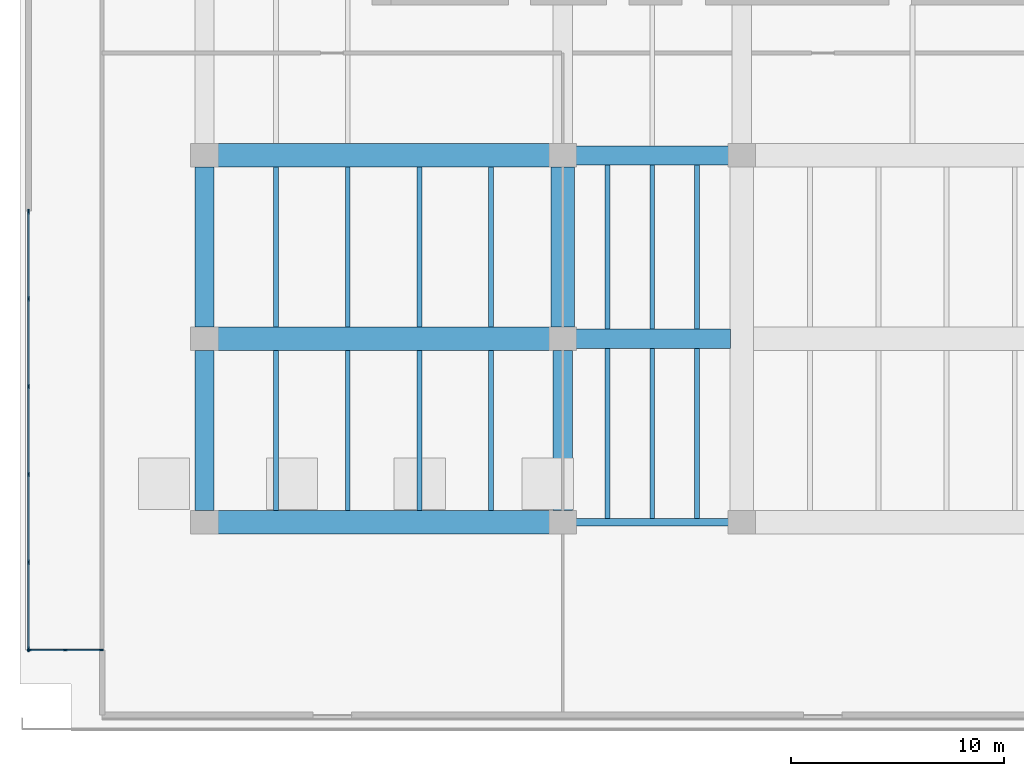
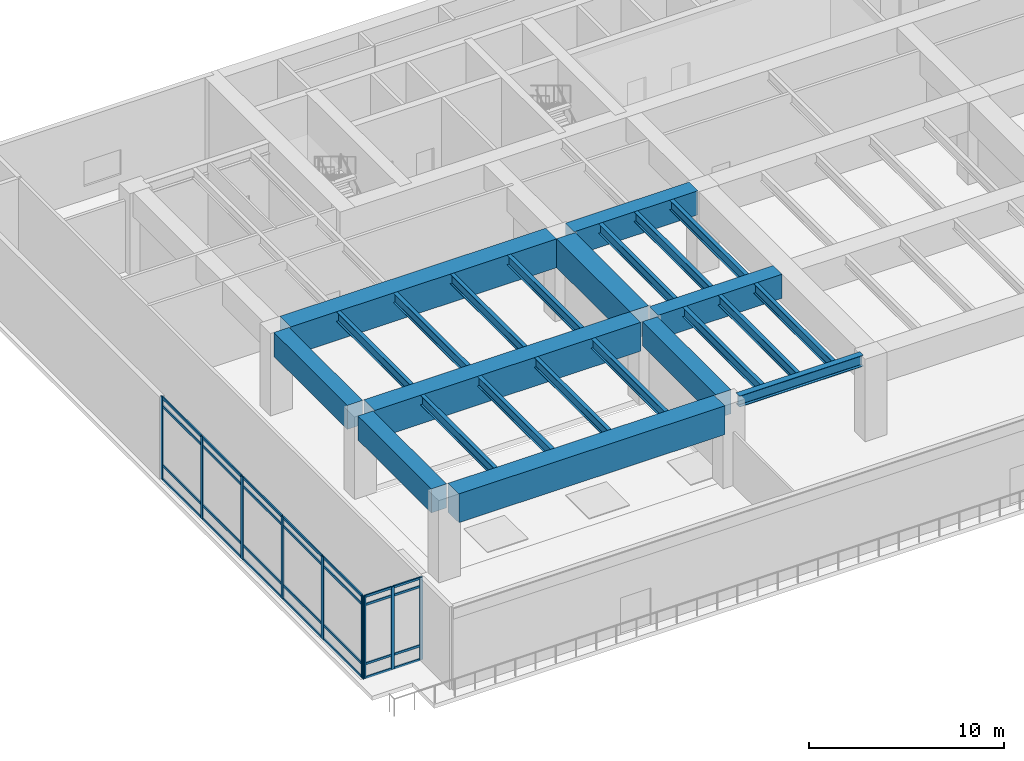
# One storey, part 2 of 12: 37 members, 24 beams, 2 elements without a shape of their own.
"""IFC4 building model written with IfcOpenShell, lengths in metres."""

from ifc_helpers import new_model, si_unit, direction, frame, origin, origin_2d, place, context, subcontext, project, spatial, rectangle, i_section, extrude, material, layer, layer_set, material_profile, profile_set, type_object, element, aggregate, save


model = new_model("IFC4")

# Units and contexts
model_context = context("Model", 3, precision=1e-05, world=origin(), true_north=direction((0.0, 1.0)))
body_context = subcontext(model_context, "Body", "Model", "MODEL_VIEW")
ifc_project = project(units=[si_unit("LENGTHUNIT", "METRE"), si_unit("AREAUNIT", "SQUARE_METRE"), si_unit("VOLUMEUNIT", "CUBIC_METRE"), si_unit("PLANEANGLEUNIT", "RADIAN"), si_unit("MASSUNIT", "GRAM", prefix="KILO")], contexts=[model_context])

# Site, building, storey
site_placement = place(None, origin())
site = spatial("IfcSite", under=ifc_project, at=site_placement, CompositionType="ELEMENT")
building_placement = place(site_placement, origin())
building = spatial("IfcBuilding", under=site, at=building_placement, Name="Caelmar Bay Residences", CompositionType="ELEMENT")
storey_placement = place(building_placement, frame((0.0, 0.0, 24.60009765625)))
storey = spatial("IfcBuildingStorey", under=building, at=storey_placement, Name="L05", CompositionType="ELEMENT", Elevation=24.60009765625)

# Beams
ifc_material_1 = material(Name="Steel ASTM A992 Grade 50", Category="steel")
ifc_material_profile_1 = material_profile(ifc_material_1, i_section(OverallWidth=0.22900390625, OverallDepth=0.612060546875, WebThickness=0.011962890625, FlangeThickness=0.01953125, FilletRadius=0.0126953125, at=origin_2d()), Name="W24X84")
ifc_profile_set_1 = profile_set([ifc_material_profile_1], Name="Steel ASTM A992 Grade 50")
beam_type_1 = type_object("IfcBeamType", Name="BM-JST-W24X84", PredefinedType="JOIST", material=ifc_profile_set_1)
for number, where, z_axis, x_axis, name in (
    (1, (13.260009765625, 12.75, 4.843994140625), (0.0, 1.0, 0.0), (-1.0, 0.0, 0.0), "L05 Composite Floor Joist 1"),
    (2, (16.6201171875, 12.75, 4.843994140625), (0.0, 1.0, 0.0), (-1.0, 0.0, 0.0), "L05 Composite Floor Joist 2"),
    (3, (19.97998046875, 12.75, 4.843994140625), (0.0, 1.0, 0.0), (-1.0, 0.0, 0.0), "L05 Composite Floor Joist 3"),
    (4, (23.340087890625, 12.75, 4.843994140625), (0.0, 1.0, 0.0), (-1.0, 0.0, 0.0), "L05 Composite Floor Joist 4"),
):
    element("IfcBeam", number, at=place(storey_placement, frame(where, z_axis=z_axis, x_axis=x_axis)), inside=storey, type_object=beam_type_1, Name=name, PredefinedType="JOIST", context=body_context, shape_type="SweptSolid", body=[
        extrude(i_section(OverallWidth=0.22900390625, OverallDepth=0.612060546875, WebThickness=0.011962890625, FlangeThickness=0.01953125, FilletRadius=0.0126953125, at=origin_2d()), origin(), (0.0, 0.0, 1.0), 7.5),
    ])
for number, where, z_axis, x_axis, name in (
    (5, (28.800048828125, 12.3779296875, 4.843994140625), (0.0, 1.0, 0.0), (-1.0, 0.0, 0.0), "L05 Composite Floor Joist 5"),
    (6, (30.89990234375, 12.3779296875, 4.843994140625), (0.0, 1.0, 0.0), (-1.0, 0.0, 0.0), "L05 Composite Floor Joist 6"),
    (7, (33.0, 12.3779296875, 4.843994140625), (0.0, 1.0, 0.0), (-1.0, 0.0, 0.0), "L05 Composite Floor Joist 7"),
):
    element("IfcBeam", number, at=place(storey_placement, frame(where, z_axis=z_axis, x_axis=x_axis)), inside=storey, type_object=beam_type_1, Name=name, PredefinedType="JOIST", context=body_context, shape_type="SweptSolid", body=[
        extrude(i_section(OverallWidth=0.22900390625, OverallDepth=0.612060546875, WebThickness=0.011962890625, FlangeThickness=0.01953125, FilletRadius=0.0126953125, at=origin_2d()), origin(), (0.0, 0.0, 1.0), 7.97216796875),
    ])
for number, where, z_axis, x_axis, name in (
    (8, (13.260009765625, 21.35009765625, 4.843994140625), (0.0, 1.0, 0.0), (-1.0, 0.0, 0.0), "L05 Composite Floor Joist 16"),
    (9, (16.6201171875, 21.35009765625, 4.843994140625), (0.0, 1.0, 0.0), (-1.0, 0.0, 0.0), "L05 Composite Floor Joist 17"),
    (10, (19.97998046875, 21.35009765625, 4.843994140625), (0.0, 1.0, 0.0), (-1.0, 0.0, 0.0), "L05 Composite Floor Joist 18"),
    (11, (23.340087890625, 21.35009765625, 4.843994140625), (0.0, 1.0, 0.0), (-1.0, 0.0, 0.0), "L05 Composite Floor Joist 19"),
):
    element("IfcBeam", number, at=place(storey_placement, frame(where, z_axis=z_axis, x_axis=x_axis)), inside=storey, type_object=beam_type_1, Name=name, PredefinedType="JOIST", context=body_context, shape_type="SweptSolid", body=[
        extrude(i_section(OverallWidth=0.22900390625, OverallDepth=0.612060546875, WebThickness=0.011962890625, FlangeThickness=0.01953125, FilletRadius=0.0126953125, at=origin_2d()), origin(), (0.0, 0.0, 1.0), 7.5),
    ])
for number, where, z_axis, x_axis, name in (
    (12, (28.800048828125, 21.25, 4.843994140625), (0.0, 1.0, 0.0), (-1.0, 0.0, 0.0), "L05 Composite Floor Joist 20"),
    (13, (30.89990234375, 21.25, 4.843994140625), (0.0, 1.0, 0.0), (-1.0, 0.0, 0.0), "L05 Composite Floor Joist 21"),
    (14, (33.0, 21.25, 4.843994140625), (0.0, 1.0, 0.0), (-1.0, 0.0, 0.0), "L05 Composite Floor Joist 22"),
):
    element("IfcBeam", number, at=place(storey_placement, frame(where, z_axis=z_axis, x_axis=x_axis)), inside=storey, type_object=beam_type_1, Name=name, PredefinedType="JOIST", context=body_context, shape_type="SweptSolid", body=[
        extrude(i_section(OverallWidth=0.22900390625, OverallDepth=0.612060546875, WebThickness=0.011962890625, FlangeThickness=0.01953125, FilletRadius=0.0126953125, at=origin_2d()), origin(), (0.0, 0.0, 1.0), 7.699951171875),
    ])
ifc_material_profile_2 = material_profile(ifc_material_1, i_section(OverallWidth=0.35595703125, OverallDepth=0.696044921875, WebThickness=0.015380859375, FlangeThickness=0.02490234375, FilletRadius=0.01513671875, at=origin_2d()), Name="W27X146")
ifc_profile_set_2 = profile_set([ifc_material_profile_2], Name="Steel ASTM A992 Grade 50")
beam_type_2 = type_object("IfcBeamType", Name="BM-SPN-W27X146", PredefinedType="SPANDREL", material=ifc_profile_set_2)
beam_1_placement = place(storey_placement, frame((27.239990234375, 12.199951171875, 4.802001953125), z_axis=(1.0, 0.0, 0.0), x_axis=(0.0, 1.0, 0.0)))
element("IfcBeam", 15, at=beam_1_placement, inside=storey, type_object=beam_type_2, Name="L05 East-West Girder Y=12.20 (26.7-35.1)", PredefinedType="SPANDREL", context=body_context, shape_type="SweptSolid", body=[
    extrude(i_section(OverallWidth=0.35595703125, OverallDepth=0.696044921875, WebThickness=0.015380859375, FlangeThickness=0.02490234375, FilletRadius=0.01513671875, at=origin_2d()), origin(), (0.0, 0.0, 1.0), 7.320068359375),
])
ifc_material_2 = material(Name="Concrete f'c 70 MPa (10,000 psi)", Category="concrete")
ifc_material_profile_3 = material_profile(ifc_material_2, rectangle(XDim=1.10009765625, YDim=1.800048828125, at=origin_2d()), Name="RC-BM-1100X1800")
ifc_profile_set_3 = profile_set([ifc_material_profile_3], Name="Concrete f'c 70 MPa (10,000 psi)")
beam_type_3 = type_object("IfcBeamType", Name="BM-XFR-1100X1800", PredefinedType="BEAM", material=ifc_profile_set_3)
for number, where, z_axis, x_axis, name in (
    (16, (10.43994140625, 12.199951171875, 4.25), (1.0, 0.0, 0.0), (0.0, 1.0, 0.0), "L05 East-West Girder Y=12.20 (9.9-26.7)"),
    (17, (10.43994140625, 20.800048828125, 4.25), (1.0, 0.0, 0.0), (0.0, 1.0, 0.0), "L05 East-West Girder Y=20.80 (9.9-26.7)"),
    (18, (10.43994140625, 29.39990234375, 4.25), (1.0, 0.0, 0.0), (0.0, 1.0, 0.0), "L05 East-West Girder Y=29.40 (9.9-26.7)"),
):
    element("IfcBeam", number, at=place(storey_placement, frame(where, z_axis=z_axis, x_axis=x_axis)), inside=storey, type_object=beam_type_3, Name=name, PredefinedType="BEAM", context=body_context, shape_type="SweptSolid", body=[
        extrude(rectangle(XDim=1.10009765625, YDim=1.800048828125, at=origin_2d()), origin(), (0.0, 0.0, 1.0), 15.719970703125),
    ])
beam_2_placement = place(storey_placement, frame((26.699951171875, 21.340087890625, 4.25), z_axis=(0.0, 1.0, 0.0), x_axis=(-1.0, 0.0, 0.0)))
element("IfcBeam", 19, at=beam_2_placement, inside=storey, type_object=beam_type_3, Name="L05 North-South Girder X=26.70 (20.8-29.4)", PredefinedType="BEAM", context=body_context, shape_type="SweptSolid", body=[
    extrude(rectangle(XDim=1.10009765625, YDim=1.800048828125, at=origin_2d()), origin(), (0.0, 0.0, 1.0), 7.52001953125),
])
ifc_material_profile_4 = material_profile(ifc_material_2, rectangle(XDim=0.89990234375, YDim=1.5, at=origin_2d()), Name="RC-BM-900X1500")
ifc_profile_set_4 = profile_set([ifc_material_profile_4], Name="Concrete f'c 70 MPa (10,000 psi)")
beam_type_4 = type_object("IfcBeamType", Name="BM-XFR-900X1500", PredefinedType="BEAM", material=ifc_profile_set_4)
for number, where, z_axis, x_axis, name in (
    (20, (27.239990234375, 20.800048828125, 4.39990234375), (1.0, 0.0, 0.0), (0.0, 1.0, 0.0), "L05 East-West Girder Y=20.80 (26.7-35.1)"),
    (21, (27.239990234375, 29.39990234375, 4.39990234375), (1.0, 0.0, 0.0), (0.0, 1.0, 0.0), "L05 East-West Girder Y=29.40 (26.7-35.1)"),
):
    element("IfcBeam", number, at=place(storey_placement, frame(where, z_axis=z_axis, x_axis=x_axis)), inside=storey, type_object=beam_type_4, Name=name, PredefinedType="BEAM", context=body_context, shape_type="SweptSolid", body=[
        extrude(rectangle(XDim=0.89990234375, YDim=1.5, at=origin_2d()), origin(), (0.0, 0.0, 1.0), 7.320068359375),
    ])
for number, where, z_axis, x_axis, name in (
    (22, (9.89990234375, 12.739990234375, 4.39990234375), (0.0, 1.0, 0.0), (-1.0, 0.0, 0.0), "L05 North-South Girder X=9.90 (12.2-20.8)"),
    (23, (9.89990234375, 21.340087890625, 4.39990234375), (0.0, 1.0, 0.0), (-1.0, 0.0, 0.0), "L05 North-South Girder X=9.90 (20.8-29.4)"),
    (24, (26.699951171875, 12.739990234375, 4.39990234375), (0.0, 1.0, 0.0), (-1.0, 0.0, 0.0), "L05 North-South Girder X=26.70 (12.2-20.8)"),
):
    element("IfcBeam", number, at=place(storey_placement, frame(where, z_axis=z_axis, x_axis=x_axis)), inside=storey, type_object=beam_type_4, Name=name, PredefinedType="BEAM", context=body_context, shape_type="SweptSolid", body=[
        extrude(rectangle(XDim=0.89990234375, YDim=1.5, at=origin_2d()), origin(), (0.0, 0.0, 1.0), 7.52001953125),
    ])

# Curtain wall, members
ifc_material_3 = material(Name="Anodised bronze aluminium 6063-T6 and laminated glass", Category="aluminium")
ifc_layer_1 = layer(ifc_material_3, 0.179931640625)
ifc_layer_set_1 = layer_set([ifc_layer_1], Name="Anodised bronze aluminium 6063-T6 and laminated glass")
curtain_wall_type_1 = type_object("IfcCurtainWallType", Name="CW6-NTC", PredefinedType="NOTDEFINED", material=ifc_layer_set_1)
curtain_wall_1_placement = place(storey_placement, origin())
curtain_wall_1 = element("IfcCurtainWall", 25, at=curtain_wall_1_placement, inside=storey, type_object=curtain_wall_type_1, Name="CW6 curtain wall L05", PredefinedType="NOTDEFINED")
ifc_material_4 = material(Name="Anodised bronze aluminium 6063-T6", Category="aluminium")
ifc_material_profile_5 = material_profile(ifc_material_4, rectangle(XDim=0.080078125, YDim=0.179931640625, at=origin_2d()), Name="CWM-80X180")
ifc_profile_set_5 = profile_set([ifc_material_profile_5], Name="Anodised bronze aluminium 6063-T6")
member_type_1 = type_object("IfcMemberType", Name="CWM-180", PredefinedType="MULLION", material=ifc_profile_set_5)
member_1_placement = place(storey_placement, frame((1.68994140625, 6.199951171875, 0.0), z_axis=(0.0, 0.0, 1.0), x_axis=(0.0, 1.0, 0.0)))
member_1 = element("IfcMember", 26, at=member_1_placement, type_object=member_type_1, Name="CW6 mullion 1", PredefinedType="MULLION", context=body_context, shape_type="SweptSolid", body=[
    extrude(rectangle(XDim=0.080078125, YDim=0.179931640625, at=origin_2d()), origin(), (0.0, 0.0, 1.0), 5.14990234375),
])
member_2_placement = place(storey_placement, frame((3.375, 6.199951171875, 0.0), z_axis=(0.0, 0.0, 1.0), x_axis=(0.0, 1.0, 0.0)))
member_2 = element("IfcMember", 27, at=member_2_placement, type_object=member_type_1, Name="CW6 mullion 2", PredefinedType="MULLION", context=body_context, shape_type="SweptSolid", body=[
    extrude(rectangle(XDim=0.080078125, YDim=0.179931640625, at=origin_2d()), origin(), (0.0, 0.0, 1.0), 5.14990234375),
])
member_3_placement = place(storey_placement, frame((5.06005859375, 6.199951171875, 0.0), z_axis=(0.0, 0.0, 1.0), x_axis=(0.0, 1.0, 0.0)))
member_3 = element("IfcMember", 28, at=member_3_placement, type_object=member_type_1, Name="CW6 mullion 3", PredefinedType="MULLION", context=body_context, shape_type="SweptSolid", body=[
    extrude(rectangle(XDim=0.080078125, YDim=0.179931640625, at=origin_2d()), origin(), (0.0, 0.0, 1.0), 5.14990234375),
])

ifc_layer_2 = layer(ifc_material_3, 0.179931640625)
ifc_layer_set_2 = layer_set([ifc_layer_2], Name="Anodised bronze aluminium 6063-T6 and laminated glass")
curtain_wall_type_2 = type_object("IfcCurtainWallType", Name="CW1-POD", PredefinedType="NOTDEFINED", material=ifc_layer_set_2)
curtain_wall_2_placement = place(storey_placement, origin())
curtain_wall_2 = element("IfcCurtainWall", 29, at=curtain_wall_2_placement, inside=storey, type_object=curtain_wall_type_2, Name="CW1 curtain wall L05", PredefinedType="NOTDEFINED")
ifc_material_profile_6 = material_profile(ifc_material_4, rectangle(XDim=0.080078125, YDim=0.219970703125, at=origin_2d()), Name="CWM-80X220")
ifc_profile_set_6 = profile_set([ifc_material_profile_6], Name="Anodised bronze aluminium 6063-T6")
member_type_2 = type_object("IfcMemberType", Name="CWM-220", PredefinedType="MULLION", material=ifc_profile_set_6)
member_4_placement = place(storey_placement, frame((1.64990234375, 6.239990234375, 0.0), z_axis=(0.0, 0.0, 1.0), x_axis=(-1.0, 0.0, 0.0)))
member_4 = element("IfcMember", 30, at=member_4_placement, type_object=member_type_2, Name="CW1 mullion 1", PredefinedType="MULLION", context=body_context, shape_type="SweptSolid", body=[
    extrude(rectangle(XDim=0.080078125, YDim=0.219970703125, at=origin_2d()), origin(), (0.0, 0.0, 1.0), 5.14990234375),
])
member_5_placement = place(storey_placement, frame((1.64990234375, 10.320068359375, 0.0), z_axis=(0.0, 0.0, 1.0), x_axis=(-1.0, 0.0, 0.0)))
member_5 = element("IfcMember", 31, at=member_5_placement, type_object=member_type_2, Name="CW1 mullion 2", PredefinedType="MULLION", context=body_context, shape_type="SweptSolid", body=[
    extrude(rectangle(XDim=0.080078125, YDim=0.219970703125, at=origin_2d()), origin(), (0.0, 0.0, 1.0), 5.14990234375),
])
member_6_placement = place(storey_placement, frame((1.64990234375, 14.43994140625, 0.0), z_axis=(0.0, 0.0, 1.0), x_axis=(-1.0, 0.0, 0.0)))
member_6 = element("IfcMember", 32, at=member_6_placement, type_object=member_type_2, Name="CW1 mullion 3", PredefinedType="MULLION", context=body_context, shape_type="SweptSolid", body=[
    extrude(rectangle(XDim=0.080078125, YDim=0.219970703125, at=origin_2d()), origin(), (0.0, 0.0, 1.0), 5.14990234375),
])
member_7_placement = place(storey_placement, frame((1.64990234375, 18.56005859375, 0.0), z_axis=(0.0, 0.0, 1.0), x_axis=(-1.0, 0.0, 0.0)))
member_7 = element("IfcMember", 33, at=member_7_placement, type_object=member_type_2, Name="CW1 mullion 4", PredefinedType="MULLION", context=body_context, shape_type="SweptSolid", body=[
    extrude(rectangle(XDim=0.080078125, YDim=0.219970703125, at=origin_2d()), origin(), (0.0, 0.0, 1.0), 5.14990234375),
])
member_8_placement = place(storey_placement, frame((1.64990234375, 22.679931640625, 0.0), z_axis=(0.0, 0.0, 1.0), x_axis=(-1.0, 0.0, 0.0)))
member_8 = element("IfcMember", 34, at=member_8_placement, type_object=member_type_2, Name="CW1 mullion 5", PredefinedType="MULLION", context=body_context, shape_type="SweptSolid", body=[
    extrude(rectangle(XDim=0.080078125, YDim=0.219970703125, at=origin_2d()), origin(), (0.0, 0.0, 1.0), 5.14990234375),
])
member_9_placement = place(storey_placement, frame((1.64990234375, 26.760009765625, 0.0), z_axis=(0.0, 0.0, 1.0), x_axis=(-1.0, 0.0, 0.0)))
member_9 = element("IfcMember", 35, at=member_9_placement, type_object=member_type_2, Name="CW1 mullion 6", PredefinedType="MULLION", context=body_context, shape_type="SweptSolid", body=[
    extrude(rectangle(XDim=0.080078125, YDim=0.219970703125, at=origin_2d()), origin(), (0.0, 0.0, 1.0), 5.14990234375),
])

# Member
ifc_material_profile_7 = material_profile(ifc_material_4, rectangle(XDim=0.080078125, YDim=0.139892578125, at=origin_2d()), Name="CWT-80X140")
ifc_profile_set_7 = profile_set([ifc_material_profile_7], Name="Anodised bronze aluminium 6063-T6")
member_type_3 = type_object("IfcMemberType", Name="CWT-140", PredefinedType="NOTDEFINED", material=ifc_profile_set_7)
member_10_placement = place(storey_placement, frame((1.72998046875, 6.199951171875, 0.039794921875), z_axis=(1.0, 0.0, 0.0), x_axis=(0.0, 1.0, 0.0)))
member_10 = element("IfcMember", 36, at=member_10_placement, type_object=member_type_3, Name="CW6 transom 1.1", ObjectType="TRANSOM", PredefinedType="USERDEFINED", context=body_context, shape_type="SweptSolid", body=[
    extrude(rectangle(XDim=0.080078125, YDim=0.139892578125, at=origin_2d()), origin(), (0.0, 0.0, 1.0), 1.60498046875),
])

member_11_placement = place(storey_placement, frame((1.72998046875, 6.199951171875, 0.89990234375), z_axis=(1.0, 0.0, 0.0), x_axis=(0.0, 1.0, 0.0)))
member_11 = element("IfcMember", 37, at=member_11_placement, type_object=member_type_3, Name="CW6 transom 1.2", ObjectType="TRANSOM", PredefinedType="USERDEFINED", context=body_context, shape_type="SweptSolid", body=[
    extrude(rectangle(XDim=0.080078125, YDim=0.139892578125, at=origin_2d()), origin(), (0.0, 0.0, 1.0), 1.60498046875),
])

member_12_placement = place(storey_placement, frame((1.72998046875, 6.199951171875, 4.599853515625), z_axis=(1.0, 0.0, 0.0), x_axis=(0.0, 1.0, 0.0)))
member_12 = element("IfcMember", 38, at=member_12_placement, type_object=member_type_3, Name="CW6 transom 1.3", ObjectType="TRANSOM", PredefinedType="USERDEFINED", context=body_context, shape_type="SweptSolid", body=[
    extrude(rectangle(XDim=0.080078125, YDim=0.139892578125, at=origin_2d()), origin(), (0.0, 0.0, 1.0), 1.60498046875),
])

member_13_placement = place(storey_placement, frame((1.72998046875, 6.199951171875, 5.10986328125), z_axis=(1.0, 0.0, 0.0), x_axis=(0.0, 1.0, 0.0)))
member_13 = element("IfcMember", 39, at=member_13_placement, type_object=member_type_3, Name="CW6 transom 1.4", ObjectType="TRANSOM", PredefinedType="USERDEFINED", context=body_context, shape_type="SweptSolid", body=[
    extrude(rectangle(XDim=0.080078125, YDim=0.139892578125, at=origin_2d()), origin(), (0.0, 0.0, 1.0), 1.60498046875),
])

member_14_placement = place(storey_placement, frame((3.4150390625, 6.199951171875, 0.039794921875), z_axis=(1.0, 0.0, 0.0), x_axis=(0.0, 1.0, 0.0)))
member_14 = element("IfcMember", 40, at=member_14_placement, type_object=member_type_3, Name="CW6 transom 2.1", ObjectType="TRANSOM", PredefinedType="USERDEFINED", context=body_context, shape_type="SweptSolid", body=[
    extrude(rectangle(XDim=0.080078125, YDim=0.139892578125, at=origin_2d()), origin(), (0.0, 0.0, 1.0), 1.60498046875),
])

member_15_placement = place(storey_placement, frame((3.4150390625, 6.199951171875, 0.89990234375), z_axis=(1.0, 0.0, 0.0), x_axis=(0.0, 1.0, 0.0)))
member_15 = element("IfcMember", 41, at=member_15_placement, type_object=member_type_3, Name="CW6 transom 2.2", ObjectType="TRANSOM", PredefinedType="USERDEFINED", context=body_context, shape_type="SweptSolid", body=[
    extrude(rectangle(XDim=0.080078125, YDim=0.139892578125, at=origin_2d()), origin(), (0.0, 0.0, 1.0), 1.60498046875),
])

member_16_placement = place(storey_placement, frame((3.4150390625, 6.199951171875, 4.599853515625), z_axis=(1.0, 0.0, 0.0), x_axis=(0.0, 1.0, 0.0)))
member_16 = element("IfcMember", 42, at=member_16_placement, type_object=member_type_3, Name="CW6 transom 2.3", ObjectType="TRANSOM", PredefinedType="USERDEFINED", context=body_context, shape_type="SweptSolid", body=[
    extrude(rectangle(XDim=0.080078125, YDim=0.139892578125, at=origin_2d()), origin(), (0.0, 0.0, 1.0), 1.60498046875),
])

member_17_placement = place(storey_placement, frame((3.4150390625, 6.199951171875, 5.10986328125), z_axis=(1.0, 0.0, 0.0), x_axis=(0.0, 1.0, 0.0)))
member_17 = element("IfcMember", 43, at=member_17_placement, type_object=member_type_3, Name="CW6 transom 2.4", ObjectType="TRANSOM", PredefinedType="USERDEFINED", context=body_context, shape_type="SweptSolid", body=[
    extrude(rectangle(XDim=0.080078125, YDim=0.139892578125, at=origin_2d()), origin(), (0.0, 0.0, 1.0), 1.60498046875),
])

aggregate(curtain_wall_1, [member_1, member_2, member_3, member_10, member_11, member_12, member_13, member_14, member_15, member_16, member_17])

ifc_material_profile_8 = material_profile(ifc_material_4, rectangle(XDim=0.080078125, YDim=0.159912109375, at=origin_2d()), Name="CWT-80X160")
ifc_profile_set_8 = profile_set([ifc_material_profile_8], Name="Anodised bronze aluminium 6063-T6")
member_type_4 = type_object("IfcMemberType", Name="CWT-160", PredefinedType="NOTDEFINED", material=ifc_profile_set_8)
member_18_placement = place(storey_placement, frame((1.64990234375, 6.280029296875, 0.039794921875), z_axis=(0.0, 1.0, 0.0), x_axis=(-1.0, 0.0, 0.0)))
member_18 = element("IfcMember", 44, at=member_18_placement, type_object=member_type_4, Name="CW1 transom 1.1", ObjectType="TRANSOM", PredefinedType="USERDEFINED", context=body_context, shape_type="SweptSolid", body=[
    extrude(rectangle(XDim=0.080078125, YDim=0.159912109375, at=origin_2d()), origin(), (0.0, 0.0, 1.0), 4.0),
])

member_19_placement = place(storey_placement, frame((1.64990234375, 6.280029296875, 0.89990234375), z_axis=(0.0, 1.0, 0.0), x_axis=(-1.0, 0.0, 0.0)))
member_19 = element("IfcMember", 45, at=member_19_placement, type_object=member_type_4, Name="CW1 transom 1.2", ObjectType="TRANSOM", PredefinedType="USERDEFINED", context=body_context, shape_type="SweptSolid", body=[
    extrude(rectangle(XDim=0.080078125, YDim=0.159912109375, at=origin_2d()), origin(), (0.0, 0.0, 1.0), 4.0),
])

member_20_placement = place(storey_placement, frame((1.64990234375, 6.280029296875, 4.599853515625), z_axis=(0.0, 1.0, 0.0), x_axis=(-1.0, 0.0, 0.0)))
member_20 = element("IfcMember", 46, at=member_20_placement, type_object=member_type_4, Name="CW1 transom 1.3", ObjectType="TRANSOM", PredefinedType="USERDEFINED", context=body_context, shape_type="SweptSolid", body=[
    extrude(rectangle(XDim=0.080078125, YDim=0.159912109375, at=origin_2d()), origin(), (0.0, 0.0, 1.0), 4.0),
])

member_21_placement = place(storey_placement, frame((1.64990234375, 6.280029296875, 5.10986328125), z_axis=(0.0, 1.0, 0.0), x_axis=(-1.0, 0.0, 0.0)))
member_21 = element("IfcMember", 47, at=member_21_placement, type_object=member_type_4, Name="CW1 transom 1.4", ObjectType="TRANSOM", PredefinedType="USERDEFINED", context=body_context, shape_type="SweptSolid", body=[
    extrude(rectangle(XDim=0.080078125, YDim=0.159912109375, at=origin_2d()), origin(), (0.0, 0.0, 1.0), 4.0),
])

member_22_placement = place(storey_placement, frame((1.64990234375, 10.360107421875, 0.039794921875), z_axis=(0.0, 1.0, 0.0), x_axis=(-1.0, 0.0, 0.0)))
member_22 = element("IfcMember", 48, at=member_22_placement, type_object=member_type_4, Name="CW1 transom 2.1", ObjectType="TRANSOM", PredefinedType="USERDEFINED", context=body_context, shape_type="SweptSolid", body=[
    extrude(rectangle(XDim=0.080078125, YDim=0.159912109375, at=origin_2d()), origin(), (0.0, 0.0, 1.0), 4.039794921875),
])

member_23_placement = place(storey_placement, frame((1.64990234375, 10.360107421875, 0.89990234375), z_axis=(0.0, 1.0, 0.0), x_axis=(-1.0, 0.0, 0.0)))
member_23 = element("IfcMember", 49, at=member_23_placement, type_object=member_type_4, Name="CW1 transom 2.2", ObjectType="TRANSOM", PredefinedType="USERDEFINED", context=body_context, shape_type="SweptSolid", body=[
    extrude(rectangle(XDim=0.080078125, YDim=0.159912109375, at=origin_2d()), origin(), (0.0, 0.0, 1.0), 4.039794921875),
])

member_24_placement = place(storey_placement, frame((1.64990234375, 10.360107421875, 4.599853515625), z_axis=(0.0, 1.0, 0.0), x_axis=(-1.0, 0.0, 0.0)))
member_24 = element("IfcMember", 50, at=member_24_placement, type_object=member_type_4, Name="CW1 transom 2.3", ObjectType="TRANSOM", PredefinedType="USERDEFINED", context=body_context, shape_type="SweptSolid", body=[
    extrude(rectangle(XDim=0.080078125, YDim=0.159912109375, at=origin_2d()), origin(), (0.0, 0.0, 1.0), 4.039794921875),
])

member_25_placement = place(storey_placement, frame((1.64990234375, 10.360107421875, 5.10986328125), z_axis=(0.0, 1.0, 0.0), x_axis=(-1.0, 0.0, 0.0)))
member_25 = element("IfcMember", 51, at=member_25_placement, type_object=member_type_4, Name="CW1 transom 2.4", ObjectType="TRANSOM", PredefinedType="USERDEFINED", context=body_context, shape_type="SweptSolid", body=[
    extrude(rectangle(XDim=0.080078125, YDim=0.159912109375, at=origin_2d()), origin(), (0.0, 0.0, 1.0), 4.039794921875),
])

member_26_placement = place(storey_placement, frame((1.64990234375, 14.47998046875, 0.039794921875), z_axis=(0.0, 1.0, 0.0), x_axis=(-1.0, 0.0, 0.0)))
member_26 = element("IfcMember", 52, at=member_26_placement, type_object=member_type_4, Name="CW1 transom 3.1", ObjectType="TRANSOM", PredefinedType="USERDEFINED", context=body_context, shape_type="SweptSolid", body=[
    extrude(rectangle(XDim=0.080078125, YDim=0.159912109375, at=origin_2d()), origin(), (0.0, 0.0, 1.0), 4.0400390625),
])

member_27_placement = place(storey_placement, frame((1.64990234375, 14.47998046875, 0.89990234375), z_axis=(0.0, 1.0, 0.0), x_axis=(-1.0, 0.0, 0.0)))
member_27 = element("IfcMember", 53, at=member_27_placement, type_object=member_type_4, Name="CW1 transom 3.2", ObjectType="TRANSOM", PredefinedType="USERDEFINED", context=body_context, shape_type="SweptSolid", body=[
    extrude(rectangle(XDim=0.080078125, YDim=0.159912109375, at=origin_2d()), origin(), (0.0, 0.0, 1.0), 4.0400390625),
])

member_28_placement = place(storey_placement, frame((1.64990234375, 14.47998046875, 4.599853515625), z_axis=(0.0, 1.0, 0.0), x_axis=(-1.0, 0.0, 0.0)))
member_28 = element("IfcMember", 54, at=member_28_placement, type_object=member_type_4, Name="CW1 transom 3.3", ObjectType="TRANSOM", PredefinedType="USERDEFINED", context=body_context, shape_type="SweptSolid", body=[
    extrude(rectangle(XDim=0.080078125, YDim=0.159912109375, at=origin_2d()), origin(), (0.0, 0.0, 1.0), 4.0400390625),
])

member_29_placement = place(storey_placement, frame((1.64990234375, 14.47998046875, 5.10986328125), z_axis=(0.0, 1.0, 0.0), x_axis=(-1.0, 0.0, 0.0)))
member_29 = element("IfcMember", 55, at=member_29_placement, type_object=member_type_4, Name="CW1 transom 3.4", ObjectType="TRANSOM", PredefinedType="USERDEFINED", context=body_context, shape_type="SweptSolid", body=[
    extrude(rectangle(XDim=0.080078125, YDim=0.159912109375, at=origin_2d()), origin(), (0.0, 0.0, 1.0), 4.0400390625),
])

member_30_placement = place(storey_placement, frame((1.64990234375, 18.60009765625, 0.039794921875), z_axis=(0.0, 1.0, 0.0), x_axis=(-1.0, 0.0, 0.0)))
member_30 = element("IfcMember", 56, at=member_30_placement, type_object=member_type_4, Name="CW1 transom 4.1", ObjectType="TRANSOM", PredefinedType="USERDEFINED", context=body_context, shape_type="SweptSolid", body=[
    extrude(rectangle(XDim=0.080078125, YDim=0.159912109375, at=origin_2d()), origin(), (0.0, 0.0, 1.0), 4.039794921875),
])

member_31_placement = place(storey_placement, frame((1.64990234375, 18.60009765625, 0.89990234375), z_axis=(0.0, 1.0, 0.0), x_axis=(-1.0, 0.0, 0.0)))
member_31 = element("IfcMember", 57, at=member_31_placement, type_object=member_type_4, Name="CW1 transom 4.2", ObjectType="TRANSOM", PredefinedType="USERDEFINED", context=body_context, shape_type="SweptSolid", body=[
    extrude(rectangle(XDim=0.080078125, YDim=0.159912109375, at=origin_2d()), origin(), (0.0, 0.0, 1.0), 4.039794921875),
])

member_32_placement = place(storey_placement, frame((1.64990234375, 18.60009765625, 4.599853515625), z_axis=(0.0, 1.0, 0.0), x_axis=(-1.0, 0.0, 0.0)))
member_32 = element("IfcMember", 58, at=member_32_placement, type_object=member_type_4, Name="CW1 transom 4.3", ObjectType="TRANSOM", PredefinedType="USERDEFINED", context=body_context, shape_type="SweptSolid", body=[
    extrude(rectangle(XDim=0.080078125, YDim=0.159912109375, at=origin_2d()), origin(), (0.0, 0.0, 1.0), 4.039794921875),
])

member_33_placement = place(storey_placement, frame((1.64990234375, 18.60009765625, 5.10986328125), z_axis=(0.0, 1.0, 0.0), x_axis=(-1.0, 0.0, 0.0)))
member_33 = element("IfcMember", 59, at=member_33_placement, type_object=member_type_4, Name="CW1 transom 4.4", ObjectType="TRANSOM", PredefinedType="USERDEFINED", context=body_context, shape_type="SweptSolid", body=[
    extrude(rectangle(XDim=0.080078125, YDim=0.159912109375, at=origin_2d()), origin(), (0.0, 0.0, 1.0), 4.039794921875),
])

member_34_placement = place(storey_placement, frame((1.64990234375, 22.719970703125, 0.039794921875), z_axis=(0.0, 1.0, 0.0), x_axis=(-1.0, 0.0, 0.0)))
member_34 = element("IfcMember", 60, at=member_34_placement, type_object=member_type_4, Name="CW1 transom 5.1", ObjectType="TRANSOM", PredefinedType="USERDEFINED", context=body_context, shape_type="SweptSolid", body=[
    extrude(rectangle(XDim=0.080078125, YDim=0.159912109375, at=origin_2d()), origin(), (0.0, 0.0, 1.0), 4.0),
])

member_35_placement = place(storey_placement, frame((1.64990234375, 22.719970703125, 0.89990234375), z_axis=(0.0, 1.0, 0.0), x_axis=(-1.0, 0.0, 0.0)))
member_35 = element("IfcMember", 61, at=member_35_placement, type_object=member_type_4, Name="CW1 transom 5.2", ObjectType="TRANSOM", PredefinedType="USERDEFINED", context=body_context, shape_type="SweptSolid", body=[
    extrude(rectangle(XDim=0.080078125, YDim=0.159912109375, at=origin_2d()), origin(), (0.0, 0.0, 1.0), 4.0),
])

member_36_placement = place(storey_placement, frame((1.64990234375, 22.719970703125, 4.599853515625), z_axis=(0.0, 1.0, 0.0), x_axis=(-1.0, 0.0, 0.0)))
member_36 = element("IfcMember", 62, at=member_36_placement, type_object=member_type_4, Name="CW1 transom 5.3", ObjectType="TRANSOM", PredefinedType="USERDEFINED", context=body_context, shape_type="SweptSolid", body=[
    extrude(rectangle(XDim=0.080078125, YDim=0.159912109375, at=origin_2d()), origin(), (0.0, 0.0, 1.0), 4.0),
])

member_37_placement = place(storey_placement, frame((1.64990234375, 22.719970703125, 5.10986328125), z_axis=(0.0, 1.0, 0.0), x_axis=(-1.0, 0.0, 0.0)))
member_37 = element("IfcMember", 63, at=member_37_placement, type_object=member_type_4, Name="CW1 transom 5.4", ObjectType="TRANSOM", PredefinedType="USERDEFINED", context=body_context, shape_type="SweptSolid", body=[
    extrude(rectangle(XDim=0.080078125, YDim=0.159912109375, at=origin_2d()), origin(), (0.0, 0.0, 1.0), 4.0),
])

aggregate(curtain_wall_2, [member_4, member_5, member_6, member_7, member_8, member_9, member_18, member_19, member_20, member_21, member_22, member_23, member_24, member_25, member_26, member_27, member_28, member_29, member_30, member_31, member_32, member_33, member_34, member_35, member_36, member_37])

save(model, "model.ifc")
